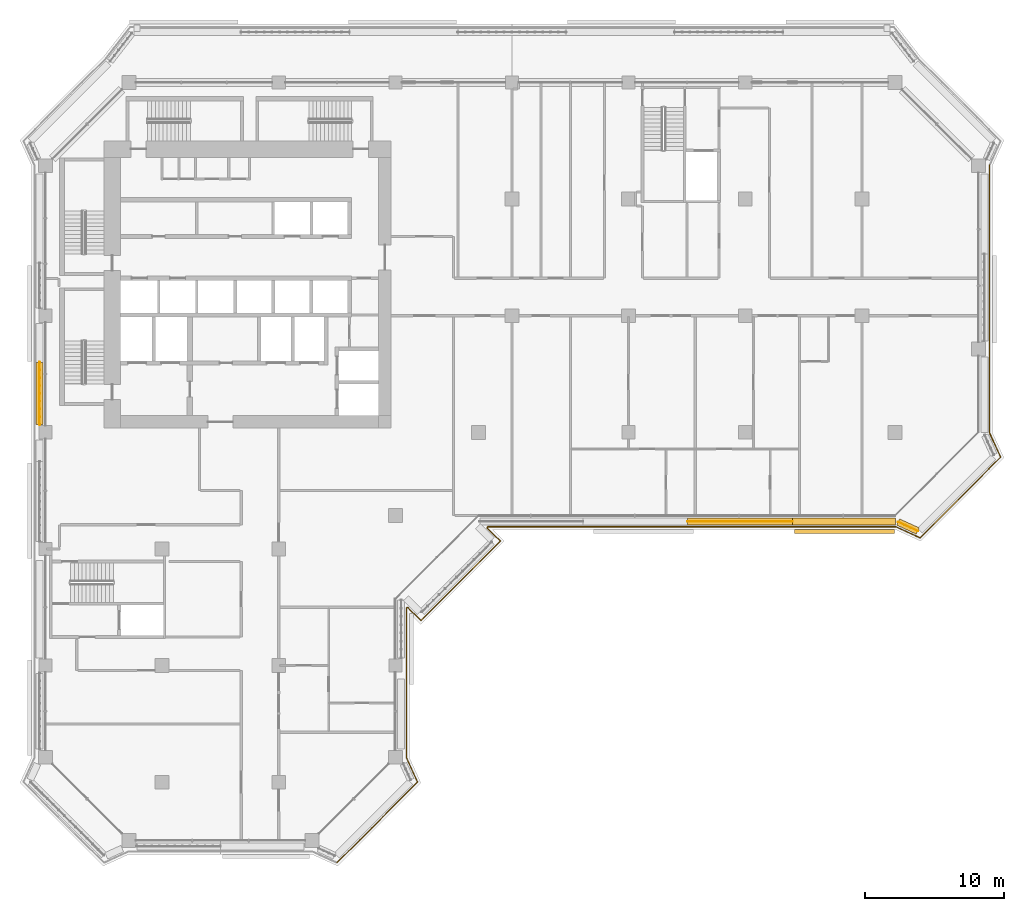
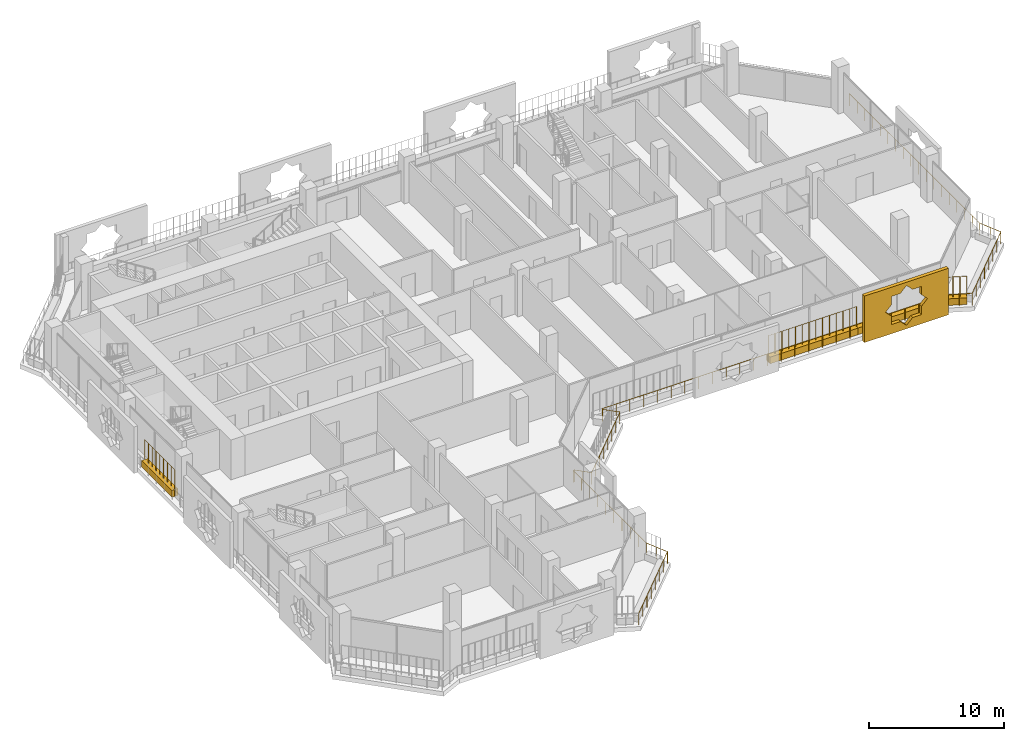
# One storey, part 19 of 22: 5 coverings, 4 railings.
"""IFC4 building model written with IfcOpenShell, lengths in metres."""

from ifc_helpers import new_model, si_unit, direction, frame, origin, origin_2d, place, context, subcontext, project, spatial, polyline, rectangle, circle, outline, extrude, material, material_profile, profile_set, type_object, element, save


model = new_model("IFC4")

# Units and contexts
model_context = context("Model", 3, precision=1e-05, world=origin(), true_north=direction((0.0, 1.0)))
body_context = subcontext(model_context, "Body", "Model", "MODEL_VIEW")
ifc_project = project(units=[si_unit("LENGTHUNIT", "METRE"), si_unit("AREAUNIT", "SQUARE_METRE"), si_unit("VOLUMEUNIT", "CUBIC_METRE"), si_unit("PLANEANGLEUNIT", "RADIAN"), si_unit("MASSUNIT", "GRAM", prefix="KILO")], contexts=[model_context])

# Site, building, storey
site_placement = place(None, origin())
site = spatial("IfcSite", under=ifc_project, at=site_placement, CompositionType="ELEMENT")
building_placement = place(site_placement, origin())
building = spatial("IfcBuilding", under=site, at=building_placement, Name="Kawkab Arch Medical Tower", CompositionType="ELEMENT")
storey_placement = place(building_placement, frame((0.0, 0.0, 183.60009765625)))
storey = spatial("IfcBuildingStorey", under=building, at=storey_placement, Name="L42", CompositionType="ELEMENT", Elevation=183.60009765625)

# Railing
ifc_material_1 = material(Name="Bronze anodised aluminium guard", Category="aluminium")
railing_type_1 = type_object("IfcRailingType", Name="Loggia and terrace guard 1100", PredefinedType="GUARDRAIL", material=ifc_material_1)
railing_1_placement = place(storey_placement, frame((68.0, -5.95703125, 0.0)))
element("IfcRailing", 1, at=railing_1_placement, inside=storey, type_object=railing_type_1, Name="Guard L42.LOG-01.1.2", PredefinedType="GUARDRAIL", context=body_context, shape_type="SweptSolid", body=[
    extrude(circle(Radius=0.02392578125, at=origin_2d()), frame((0.0, 0.0, 1.076171875), z_axis=(0.0, -1.0, 0.0), x_axis=(1.0, 0.0, 0.0)), (0.0, 0.0, 1.0), 19.285888671875),
    extrude(circle(Radius=0.02392578125, at=origin_2d()), frame((0.0, -19.285888671875, 1.076171875), z_axis=(0.414509773934, -0.910044860056, 0.0), x_axis=(0.910044860056, 0.414509773934, 0.0)), (0.0, 0.0, 1.0), 1.92529296875),
    extrude(circle(Radius=0.02392578125, at=origin_2d()), frame((0.798095703125, -21.0380859375, 1.076171875), z_axis=(-0.707106781187, -0.707106781187, 0.0), x_axis=(0.707106781187, -0.707106781187, 0.0)), (0.0, 0.0, 1.0), 8.20654296875),
    extrude(circle(Radius=0.02392578125, at=origin_2d()), frame((-5.0048828125, -26.841064453125, 1.076171875), z_axis=(-0.910044860056, 0.414509773934, 0.0), x_axis=(-0.414509773934, -0.910044860056, 0.0)), (0.0, 0.0, 1.0), 1.92529296875),
    extrude(circle(Radius=0.02392578125, at=origin_2d()), frame((-6.757080078125, -26.04296875, 1.076171875), z_axis=(-1.0, 0.0, 0.0), x_axis=(0.0, -1.0, 0.0)), (0.0, 0.0, 1.0), 29.392822265625),
    extrude(circle(Radius=0.02392578125, at=origin_2d()), frame((-36.14990234375, -26.04296875, 1.076171875), z_axis=(-0.383763674343, -0.923431341387, 0.0), x_axis=(0.923431341387, -0.383763674343, 0.0)), (0.0, 0.0, 1.0), 0.101806640625),
    extrude(circle(Radius=0.02392578125, at=origin_2d()), frame((-36.18896484375, -26.136962890625, 1.076171875), z_axis=(0.707015335112, -0.707198215437, 0.0), x_axis=(0.707198215437, 0.707015335112, 0.0)), (0.0, 0.0, 1.0), 1.3349609375),
    extrude(circle(Radius=0.02392578125, at=origin_2d()), frame((-35.2451171875, -27.0810546875, 1.076171875), z_axis=(-0.707106781187, -0.707106781187, 0.0), x_axis=(0.707106781187, -0.707106781187, 0.0)), (0.0, 0.0, 1.0), 8.084716796875),
    extrude(circle(Radius=0.02392578125, at=origin_2d()), frame((-40.9619140625, -32.7978515625, 1.076171875), z_axis=(-0.707198215437, 0.707015335112, 0.0), x_axis=(-0.707015335112, -0.707198215437, 0.0)), (0.0, 0.0, 1.0), 1.3349609375),
    extrude(circle(Radius=0.02392578125, at=origin_2d()), frame((-41.906005859375, -31.85400390625, 1.076171875), z_axis=(-0.923431341387, -0.383763674343, 0.0), x_axis=(0.383763674343, -0.923431341387, 0.0)), (0.0, 0.0, 1.0), 0.101806640625),
    extrude(circle(Radius=0.02392578125, at=origin_2d()), frame((-42.0, -31.89306640625, 1.076171875), z_axis=(0.0, -1.0, 0.0), x_axis=(1.0, 0.0, 0.0)), (0.0, 0.0, 1.0), 10.79296875),
    extrude(circle(Radius=0.02392578125, at=origin_2d()), frame((-42.0, -42.68603515625, 1.076171875), z_axis=(0.414557610759, -0.910023069687, 0.0), x_axis=(0.910023069687, 0.414557610759, 0.0)), (0.0, 0.0, 1.0), 1.92529296875),
    extrude(circle(Radius=0.02392578125, at=origin_2d()), frame((-41.201904296875, -44.43798828125, 1.076171875), z_axis=(-0.707106781187, -0.707106781187, 0.0), x_axis=(0.707106781187, -0.707106781187, 0.0)), (0.0, 0.0, 1.0), 8.20654296875),
    extrude(circle(Radius=0.02099609375, at=origin_2d()), origin(), (0.0, 0.0, 1.0), 1.052001953125),
    extrude(circle(Radius=0.02099609375, at=origin_2d()), frame((0.0, -1.134521484375, 0.0)), (0.0, 0.0, 1.0), 1.052001953125),
    extrude(circle(Radius=0.02099609375, at=origin_2d()), frame((0.0, -2.26904296875, 0.0)), (0.0, 0.0, 1.0), 1.052001953125),
    extrude(circle(Radius=0.02099609375, at=origin_2d()), frame((0.0, -3.4033203125, 0.0)), (0.0, 0.0, 1.0), 1.052001953125),
    extrude(circle(Radius=0.02099609375, at=origin_2d()), frame((0.0, -4.537841796875, 0.0)), (0.0, 0.0, 1.0), 1.052001953125),
    extrude(circle(Radius=0.02099609375, at=origin_2d()), frame((0.0, -5.67236328125, 0.0)), (0.0, 0.0, 1.0), 1.052001953125),
    extrude(circle(Radius=0.02099609375, at=origin_2d()), frame((0.0, -6.806884765625, 0.0)), (0.0, 0.0, 1.0), 1.052001953125),
    extrude(circle(Radius=0.02099609375, at=origin_2d()), frame((0.0, -7.941162109375, 0.0)), (0.0, 0.0, 1.0), 1.052001953125),
    extrude(circle(Radius=0.02099609375, at=origin_2d()), frame((0.0, -9.07568359375, 0.0)), (0.0, 0.0, 1.0), 1.052001953125),
    extrude(circle(Radius=0.02099609375, at=origin_2d()), frame((0.0, -10.210205078125, 0.0)), (0.0, 0.0, 1.0), 1.052001953125),
    extrude(circle(Radius=0.02099609375, at=origin_2d()), frame((0.0, -11.3447265625, 0.0)), (0.0, 0.0, 1.0), 1.052001953125),
    extrude(circle(Radius=0.02099609375, at=origin_2d()), frame((0.0, -12.47900390625, 0.0)), (0.0, 0.0, 1.0), 1.052001953125),
    extrude(circle(Radius=0.02099609375, at=origin_2d()), frame((0.0, -13.613525390625, 0.0)), (0.0, 0.0, 1.0), 1.052001953125),
    extrude(circle(Radius=0.02099609375, at=origin_2d()), frame((0.0, -14.748046875, 0.0)), (0.0, 0.0, 1.0), 1.052001953125),
    extrude(circle(Radius=0.02099609375, at=origin_2d()), frame((0.0, -15.882568359375, 0.0)), (0.0, 0.0, 1.0), 1.052001953125),
    extrude(circle(Radius=0.02099609375, at=origin_2d()), frame((0.0, -17.016845703125, 0.0)), (0.0, 0.0, 1.0), 1.052001953125),
    extrude(circle(Radius=0.02099609375, at=origin_2d()), frame((0.0, -18.1513671875, 0.0)), (0.0, 0.0, 1.0), 1.052001953125),
    extrude(circle(Radius=0.02099609375, at=origin_2d()), frame((0.0, -19.285888671875, 0.0)), (0.0, 0.0, 1.0), 1.052001953125),
    extrude(circle(Radius=0.02099609375, at=origin_2d()), frame((0.39892578125, -20.162109375, 0.0)), (0.0, 0.0, 1.0), 1.052001953125),
    extrude(circle(Radius=0.02099609375, at=origin_2d()), frame((0.798095703125, -21.0380859375, 0.0)), (0.0, 0.0, 1.0), 1.052001953125),
    extrude(circle(Radius=0.02099609375, at=origin_2d()), frame((-0.031005859375, -21.8671875, 0.0)), (0.0, 0.0, 1.0), 1.052001953125),
    extrude(circle(Radius=0.02099609375, at=origin_2d()), frame((-0.85986328125, -22.696044921875, 0.0)), (0.0, 0.0, 1.0), 1.052001953125),
    extrude(circle(Radius=0.02099609375, at=origin_2d()), frame((-1.68896484375, -23.525146484375, 0.0)), (0.0, 0.0, 1.0), 1.052001953125),
    extrude(circle(Radius=0.02099609375, at=origin_2d()), frame((-2.517822265625, -24.35400390625, 0.0)), (0.0, 0.0, 1.0), 1.052001953125),
    extrude(circle(Radius=0.02099609375, at=origin_2d()), frame((-3.346923828125, -25.18310546875, 0.0)), (0.0, 0.0, 1.0), 1.052001953125),
    extrude(circle(Radius=0.02099609375, at=origin_2d()), frame((-4.17578125, -26.011962890625, 0.0)), (0.0, 0.0, 1.0), 1.052001953125),
    extrude(circle(Radius=0.02099609375, at=origin_2d()), frame((-5.0048828125, -26.841064453125, 0.0)), (0.0, 0.0, 1.0), 1.052001953125),
    extrude(circle(Radius=0.02099609375, at=origin_2d()), frame((-5.880859375, -26.44189453125, 0.0)), (0.0, 0.0, 1.0), 1.052001953125),
    extrude(circle(Radius=0.02099609375, at=origin_2d()), frame((-6.757080078125, -26.04296875, 0.0)), (0.0, 0.0, 1.0), 1.052001953125),
    extrude(circle(Radius=0.02099609375, at=origin_2d()), frame((-7.932861328125, -26.04296875, 0.0)), (0.0, 0.0, 1.0), 1.052001953125),
    extrude(circle(Radius=0.02099609375, at=origin_2d()), frame((-9.1083984375, -26.04296875, 0.0)), (0.0, 0.0, 1.0), 1.052001953125),
    extrude(circle(Radius=0.02099609375, at=origin_2d()), frame((-10.2841796875, -26.04296875, 0.0)), (0.0, 0.0, 1.0), 1.052001953125),
    extrude(circle(Radius=0.02099609375, at=origin_2d()), frame((-11.4599609375, -26.04296875, 0.0)), (0.0, 0.0, 1.0), 1.052001953125),
    extrude(circle(Radius=0.02099609375, at=origin_2d()), frame((-12.6357421875, -26.04296875, 0.0)), (0.0, 0.0, 1.0), 1.052001953125),
    extrude(circle(Radius=0.02099609375, at=origin_2d()), frame((-13.811279296875, -26.04296875, 0.0)), (0.0, 0.0, 1.0), 1.052001953125),
    extrude(circle(Radius=0.02099609375, at=origin_2d()), frame((-14.987060546875, -26.04296875, 0.0)), (0.0, 0.0, 1.0), 1.052001953125),
    extrude(circle(Radius=0.02099609375, at=origin_2d()), frame((-16.162841796875, -26.04296875, 0.0)), (0.0, 0.0, 1.0), 1.052001953125),
    extrude(circle(Radius=0.02099609375, at=origin_2d()), frame((-17.33837890625, -26.04296875, 0.0)), (0.0, 0.0, 1.0), 1.052001953125),
    extrude(circle(Radius=0.02099609375, at=origin_2d()), frame((-18.51416015625, -26.04296875, 0.0)), (0.0, 0.0, 1.0), 1.052001953125),
    extrude(circle(Radius=0.02099609375, at=origin_2d()), frame((-19.68994140625, -26.04296875, 0.0)), (0.0, 0.0, 1.0), 1.052001953125),
    extrude(circle(Radius=0.02099609375, at=origin_2d()), frame((-20.86572265625, -26.04296875, 0.0)), (0.0, 0.0, 1.0), 1.052001953125),
    extrude(circle(Radius=0.02099609375, at=origin_2d()), frame((-22.041259765625, -26.04296875, 0.0)), (0.0, 0.0, 1.0), 1.052001953125),
    extrude(circle(Radius=0.02099609375, at=origin_2d()), frame((-23.217041015625, -26.04296875, 0.0)), (0.0, 0.0, 1.0), 1.052001953125),
    extrude(circle(Radius=0.02099609375, at=origin_2d()), frame((-24.392822265625, -26.04296875, 0.0)), (0.0, 0.0, 1.0), 1.052001953125),
    extrude(circle(Radius=0.02099609375, at=origin_2d()), frame((-25.568603515625, -26.04296875, 0.0)), (0.0, 0.0, 1.0), 1.052001953125),
    extrude(circle(Radius=0.02099609375, at=origin_2d()), frame((-26.744140625, -26.04296875, 0.0)), (0.0, 0.0, 1.0), 1.052001953125),
    extrude(circle(Radius=0.02099609375, at=origin_2d()), frame((-27.919921875, -26.04296875, 0.0)), (0.0, 0.0, 1.0), 1.052001953125),
    extrude(circle(Radius=0.02099609375, at=origin_2d()), frame((-29.095703125, -26.04296875, 0.0)), (0.0, 0.0, 1.0), 1.052001953125),
    extrude(circle(Radius=0.02099609375, at=origin_2d()), frame((-30.271240234375, -26.04296875, 0.0)), (0.0, 0.0, 1.0), 1.052001953125),
    extrude(circle(Radius=0.02099609375, at=origin_2d()), frame((-31.447021484375, -26.04296875, 0.0)), (0.0, 0.0, 1.0), 1.052001953125),
    extrude(circle(Radius=0.02099609375, at=origin_2d()), frame((-32.622802734375, -26.04296875, 0.0)), (0.0, 0.0, 1.0), 1.052001953125),
    extrude(circle(Radius=0.02099609375, at=origin_2d()), frame((-33.798583984375, -26.04296875, 0.0)), (0.0, 0.0, 1.0), 1.052001953125),
    extrude(circle(Radius=0.02099609375, at=origin_2d()), frame((-34.97412109375, -26.04296875, 0.0)), (0.0, 0.0, 1.0), 1.052001953125),
    extrude(circle(Radius=0.02099609375, at=origin_2d()), frame((-36.14990234375, -26.04296875, 0.0)), (0.0, 0.0, 1.0), 1.052001953125),
    extrude(circle(Radius=0.02099609375, at=origin_2d()), frame((-36.18896484375, -26.136962890625, 0.0)), (0.0, 0.0, 1.0), 1.052001953125),
    extrude(circle(Radius=0.02099609375, at=origin_2d()), frame((-35.717041015625, -26.60888671875, 0.0)), (0.0, 0.0, 1.0), 1.052001953125),
    extrude(circle(Radius=0.02099609375, at=origin_2d()), frame((-35.2451171875, -27.0810546875, 0.0)), (0.0, 0.0, 1.0), 1.052001953125),
    extrude(circle(Radius=0.02099609375, at=origin_2d()), frame((-36.061767578125, -27.897705078125, 0.0)), (0.0, 0.0, 1.0), 1.052001953125),
    extrude(circle(Radius=0.02099609375, at=origin_2d()), frame((-36.87841796875, -28.71435546875, 0.0)), (0.0, 0.0, 1.0), 1.052001953125),
    extrude(circle(Radius=0.02099609375, at=origin_2d()), frame((-37.695068359375, -29.531005859375, 0.0)), (0.0, 0.0, 1.0), 1.052001953125),
    extrude(circle(Radius=0.02099609375, at=origin_2d()), frame((-38.511962890625, -30.347900390625, 0.0)), (0.0, 0.0, 1.0), 1.052001953125),
    extrude(circle(Radius=0.02099609375, at=origin_2d()), frame((-39.32861328125, -31.16455078125, 0.0)), (0.0, 0.0, 1.0), 1.052001953125),
    extrude(circle(Radius=0.02099609375, at=origin_2d()), frame((-40.145263671875, -31.981201171875, 0.0)), (0.0, 0.0, 1.0), 1.052001953125),
    extrude(circle(Radius=0.02099609375, at=origin_2d()), frame((-40.9619140625, -32.7978515625, 0.0)), (0.0, 0.0, 1.0), 1.052001953125),
    extrude(circle(Radius=0.02099609375, at=origin_2d()), frame((-41.43408203125, -32.325927734375, 0.0)), (0.0, 0.0, 1.0), 1.052001953125),
    extrude(circle(Radius=0.02099609375, at=origin_2d()), frame((-41.906005859375, -31.85400390625, 0.0)), (0.0, 0.0, 1.0), 1.052001953125),
    extrude(circle(Radius=0.02099609375, at=origin_2d()), frame((-42.0, -31.89306640625, 0.0)), (0.0, 0.0, 1.0), 1.052001953125),
    extrude(circle(Radius=0.02099609375, at=origin_2d()), frame((-42.0, -33.09228515625, 0.0)), (0.0, 0.0, 1.0), 1.052001953125),
    extrude(circle(Radius=0.02099609375, at=origin_2d()), frame((-42.0, -34.29150390625, 0.0)), (0.0, 0.0, 1.0), 1.052001953125),
    extrude(circle(Radius=0.02099609375, at=origin_2d()), frame((-42.0, -35.49072265625, 0.0)), (0.0, 0.0, 1.0), 1.052001953125),
    extrude(circle(Radius=0.02099609375, at=origin_2d()), frame((-42.0, -36.68994140625, 0.0)), (0.0, 0.0, 1.0), 1.052001953125),
    extrude(circle(Radius=0.02099609375, at=origin_2d()), frame((-42.0, -37.88916015625, 0.0)), (0.0, 0.0, 1.0), 1.052001953125),
    extrude(circle(Radius=0.02099609375, at=origin_2d()), frame((-42.0, -39.08837890625, 0.0)), (0.0, 0.0, 1.0), 1.052001953125),
    extrude(circle(Radius=0.02099609375, at=origin_2d()), frame((-42.0, -40.28759765625, 0.0)), (0.0, 0.0, 1.0), 1.052001953125),
    extrude(circle(Radius=0.02099609375, at=origin_2d()), frame((-42.0, -41.48681640625, 0.0)), (0.0, 0.0, 1.0), 1.052001953125),
    extrude(circle(Radius=0.02099609375, at=origin_2d()), frame((-42.0, -42.68603515625, 0.0)), (0.0, 0.0, 1.0), 1.052001953125),
    extrude(circle(Radius=0.02099609375, at=origin_2d()), frame((-41.60107421875, -43.56201171875, 0.0)), (0.0, 0.0, 1.0), 1.052001953125),
    extrude(circle(Radius=0.02099609375, at=origin_2d()), frame((-41.201904296875, -44.43798828125, 0.0)), (0.0, 0.0, 1.0), 1.052001953125),
    extrude(circle(Radius=0.02099609375, at=origin_2d()), frame((-42.031005859375, -45.26708984375, 0.0)), (0.0, 0.0, 1.0), 1.052001953125),
    extrude(circle(Radius=0.02099609375, at=origin_2d()), frame((-42.85986328125, -46.095947265625, 0.0)), (0.0, 0.0, 1.0), 1.052001953125),
    extrude(circle(Radius=0.02099609375, at=origin_2d()), frame((-43.68896484375, -46.925048828125, 0.0)), (0.0, 0.0, 1.0), 1.052001953125),
    extrude(circle(Radius=0.02099609375, at=origin_2d()), frame((-44.517822265625, -47.75390625, 0.0)), (0.0, 0.0, 1.0), 1.052001953125),
    extrude(circle(Radius=0.02099609375, at=origin_2d()), frame((-45.346923828125, -48.5830078125, 0.0)), (0.0, 0.0, 1.0), 1.052001953125),
    extrude(circle(Radius=0.02099609375, at=origin_2d()), frame((-46.17578125, -49.411865234375, 0.0)), (0.0, 0.0, 1.0), 1.052001953125),
    extrude(circle(Radius=0.02099609375, at=origin_2d()), frame((-47.0048828125, -50.240966796875, 0.0)), (0.0, 0.0, 1.0), 1.052001953125),
])

# Coverings
ifc_material_2 = material(Name="Bronze anodised aluminium mashrabiya panel, eight-point star pattern", Category="aluminium")
ifc_material_profile_1 = material_profile(ifc_material_2, outline(polyline([(-3.60009765625, -2.10009765625), (3.60009765625, -2.10009765625), (3.60009765625, 2.10009765625), (-3.60009765625, 2.10009765625), (-3.60009765625, -2.10009765625)]), holes=[polyline([(1.800048828125, 0.0), (1.272705078125, 0.527099609375), (1.272705078125, 1.272705078125), (0.527099609375, 1.272705078125), (0.0, 1.800048828125), (-0.527099609375, 1.272705078125), (-1.272705078125, 1.272705078125), (-1.272705078125, 0.527099609375), (-1.800048828125, 0.0), (-1.272705078125, -0.527099609375), (-1.272705078125, -1.272705078125), (-0.527099609375, -1.272705078125), (0.0, -1.800048828125), (0.527099609375, -1.272705078125), (1.272705078125, -1.272705078125), (1.272705078125, -0.527099609375), (1.800048828125, 0.0)])]), Name="Mashrabiya panel 7200x4200")
ifc_profile_set_1 = profile_set([ifc_material_profile_1], Name="Bronze anodised aluminium mashrabiya panel, eight-point star pattern")
covering_type_1 = type_object("IfcCoveringType", Name="Mashrabiya panel 7200 x 4200", PredefinedType="USERDEFINED", material=ifc_profile_set_1)
covering_1_placement = place(storey_placement, frame((57.5546875, -32.199951171875, 1.699951171875), z_axis=(0.0, -1.0, 0.0), x_axis=(1.0, 0.0, 0.0)))
element("IfcCovering", 2, at=covering_1_placement, inside=storey, type_object=covering_type_1, Name="Mashrabiya panel L42.LOG-01-01.10", ObjectType="SCREEN", PredefinedType="USERDEFINED", context=body_context, shape_type="SweptSolid", body=[
    extrude(outline(polyline([(-3.60009765625, -2.10009765625), (3.60009765625, -2.10009765625), (3.60009765625, 2.10009765625), (-3.60009765625, 2.10009765625), (-3.60009765625, -2.10009765625)]), holes=[polyline([(1.800048828125, 0.0), (1.272705078125, 0.527099609375), (1.272705078125, 1.272705078125), (0.527099609375, 1.272705078125), (0.0, 1.800048828125), (-0.527099609375, 1.272705078125), (-1.272705078125, 1.272705078125), (-1.272705078125, 0.527099609375), (-1.800048828125, 0.0), (-1.272705078125, -0.527099609375), (-1.272705078125, -1.272705078125), (-0.527099609375, -1.272705078125), (0.0, -1.800048828125), (0.527099609375, -1.272705078125), (1.272705078125, -1.272705078125), (1.272705078125, -0.527099609375), (1.800048828125, 0.0)])]), origin(), (0.0, 0.0, 1.0), 0.300048828125),
])
ifc_material_3 = material(Name="Planting soil in a precast trough", Category="concrete")
ifc_material_profile_2 = material_profile(ifc_material_3, rectangle(XDim=0.5, YDim=0.60009765625, at=origin_2d()), Name="Trough 500x600")
ifc_profile_set_2 = profile_set([ifc_material_profile_2], Name="Planting soil in a precast trough")
covering_type_2 = type_object("IfcCoveringType", Name="Planter trough 500 x 600", PredefinedType="USERDEFINED", material=ifc_profile_set_2)
covering_2_placement = place(storey_placement, frame((-0.419921875, -24.64501953125, 0.2998046875), z_axis=(0.0, 1.0, 0.0), x_axis=(-1.0, 0.0, 0.0)))
element("IfcCovering", 3, at=covering_2_placement, inside=storey, type_object=covering_type_2, Name="Planter L42.LOG-01-01.11", ObjectType="PLANTER", PredefinedType="USERDEFINED", context=body_context, shape_type="SweptSolid", body=[
    extrude(rectangle(XDim=0.5, YDim=0.60009765625, at=origin_2d()), origin(), (0.0, 0.0, 1.0), 4.487060546875),
])
covering_3_placement = place(storey_placement, frame((62.821044921875, -32.302001953125, 0.2998046875), z_axis=(-0.909655525109, 0.415363486165, 0.0), x_axis=(-0.415363486165, -0.909655525109, 0.0)))
element("IfcCovering", 4, at=covering_3_placement, inside=storey, type_object=covering_type_2, Name="Planter L42.LOG-01-01.33", ObjectType="PLANTER", PredefinedType="USERDEFINED", context=body_context, shape_type="SweptSolid", body=[
    extrude(rectangle(XDim=0.5, YDim=0.60009765625, at=origin_2d()), origin(), (0.0, 0.0, 1.0), 1.54345703125),
])
covering_4_placement = place(storey_placement, frame((61.22607421875, -31.6201171875, 0.2998046875), z_axis=(-1.0, 0.0, 0.0), x_axis=(0.0, -1.0, 0.0)))
element("IfcCovering", 5, at=covering_4_placement, inside=storey, type_object=covering_type_2, Name="Planter L42.LOG-01-01.34", ObjectType="PLANTER", PredefinedType="USERDEFINED", context=body_context, shape_type="SweptSolid", body=[
    extrude(rectangle(XDim=0.5, YDim=0.60009765625, at=origin_2d()), origin(), (0.0, 0.0, 1.0), 7.43505859375),
])
covering_5_placement = place(storey_placement, frame((53.791015625, -31.6201171875, 0.2998046875), z_axis=(-1.0, 0.0, 0.0), x_axis=(0.0, -1.0, 0.0)))
element("IfcCovering", 6, at=covering_5_placement, inside=storey, type_object=covering_type_2, Name="Planter L42.LOG-01-01.35", ObjectType="PLANTER", PredefinedType="USERDEFINED", context=body_context, shape_type="SweptSolid", body=[
    extrude(rectangle(XDim=0.5, YDim=0.60009765625, at=origin_2d()), origin(), (0.0, 0.0, 1.0), 7.5361328125),
])

# Railings
ifc_material_4 = material(Name="Bronze anodised aluminium trellis for climbing plants", Category="aluminium")
railing_type_2 = type_object("IfcRailingType", Name="Planting trellis 2400", PredefinedType="USERDEFINED", material=ifc_material_4)
railing_2_placement = place(storey_placement, frame((-0.419921875, -24.64501953125, 0.0)))
element("IfcRailing", 7, at=railing_2_placement, inside=storey, type_object=railing_type_2, Name="Planting trellis L42.LOG-01-01.11", ObjectType="TRELLIS", PredefinedType="USERDEFINED", context=body_context, shape_type="SweptSolid", body=[
    extrude(circle(Radius=0.01513671875, at=origin_2d()), frame((0.0, 0.0, 2.384765625), z_axis=(0.0, 1.0, 0.0), x_axis=(-1.0, 0.0, 0.0)), (0.0, 0.0, 1.0), 4.487060546875),
    extrude(circle(Radius=0.030029296875, at=origin_2d()), origin(), (0.0, 0.0, 1.0), 2.369873046875),
    extrude(circle(Radius=0.030029296875, at=origin_2d()), frame((0.0, 0.560791015625, 0.0)), (0.0, 0.0, 1.0), 2.369873046875),
    extrude(circle(Radius=0.030029296875, at=origin_2d()), frame((0.0, 1.121826171875, 0.0)), (0.0, 0.0, 1.0), 2.369873046875),
    extrude(circle(Radius=0.030029296875, at=origin_2d()), frame((0.0, 1.6826171875, 0.0)), (0.0, 0.0, 1.0), 2.369873046875),
    extrude(circle(Radius=0.030029296875, at=origin_2d()), frame((0.0, 2.24365234375, 0.0)), (0.0, 0.0, 1.0), 2.369873046875),
    extrude(circle(Radius=0.030029296875, at=origin_2d()), frame((0.0, 2.804443359375, 0.0)), (0.0, 0.0, 1.0), 2.369873046875),
    extrude(circle(Radius=0.030029296875, at=origin_2d()), frame((0.0, 3.365234375, 0.0)), (0.0, 0.0, 1.0), 2.369873046875),
    extrude(circle(Radius=0.030029296875, at=origin_2d()), frame((0.0, 3.92626953125, 0.0)), (0.0, 0.0, 1.0), 2.369873046875),
    extrude(circle(Radius=0.030029296875, at=origin_2d()), frame((0.0, 4.487060546875, 0.0)), (0.0, 0.0, 1.0), 2.369873046875),
])
railing_3_placement = place(storey_placement, frame((62.821044921875, -32.302001953125, 0.0)))
element("IfcRailing", 8, at=railing_3_placement, inside=storey, type_object=railing_type_2, Name="Planting trellis L42.LOG-01-01.33", ObjectType="TRELLIS", PredefinedType="USERDEFINED", context=body_context, shape_type="SweptSolid", body=[
    extrude(circle(Radius=0.01513671875, at=origin_2d()), frame((0.0, 0.0, 2.384765625), z_axis=(-0.909655525109, 0.415363486165, 0.0), x_axis=(-0.415363486165, -0.909655525109, 0.0)), (0.0, 0.0, 1.0), 1.54345703125),
    extrude(circle(Radius=0.030029296875, at=origin_2d()), origin(), (0.0, 0.0, 1.0), 2.369873046875),
    extrude(circle(Radius=0.030029296875, at=origin_2d()), frame((-0.468017578125, 0.213623046875, 0.0)), (0.0, 0.0, 1.0), 2.369873046875),
    extrude(circle(Radius=0.030029296875, at=origin_2d()), frame((-0.93603515625, 0.427490234375, 0.0)), (0.0, 0.0, 1.0), 2.369873046875),
    extrude(circle(Radius=0.030029296875, at=origin_2d()), frame((-1.404052734375, 0.64111328125, 0.0)), (0.0, 0.0, 1.0), 2.369873046875),
])
railing_4_placement = place(storey_placement, frame((53.791015625, -31.6201171875, 0.0)))
element("IfcRailing", 9, at=railing_4_placement, inside=storey, type_object=railing_type_2, Name="Planting trellis L42.LOG-01-01.35", ObjectType="TRELLIS", PredefinedType="USERDEFINED", context=body_context, shape_type="SweptSolid", body=[
    extrude(circle(Radius=0.01513671875, at=origin_2d()), frame((0.0, 0.0, 2.384765625), z_axis=(-1.0, 0.0, 0.0), x_axis=(0.0, -1.0, 0.0)), (0.0, 0.0, 1.0), 7.5361328125),
    extrude(circle(Radius=0.030029296875, at=origin_2d()), origin(), (0.0, 0.0, 1.0), 2.369873046875),
    extrude(circle(Radius=0.030029296875, at=origin_2d()), frame((-0.57958984375, 0.0, 0.0)), (0.0, 0.0, 1.0), 2.369873046875),
    extrude(circle(Radius=0.030029296875, at=origin_2d()), frame((-1.159423828125, 0.0, 0.0)), (0.0, 0.0, 1.0), 2.369873046875),
    extrude(circle(Radius=0.030029296875, at=origin_2d()), frame((-1.739013671875, 0.0, 0.0)), (0.0, 0.0, 1.0), 2.369873046875),
    extrude(circle(Radius=0.030029296875, at=origin_2d()), frame((-2.31884765625, 0.0, 0.0)), (0.0, 0.0, 1.0), 2.369873046875),
    extrude(circle(Radius=0.030029296875, at=origin_2d()), frame((-2.8984375, 0.0, 0.0)), (0.0, 0.0, 1.0), 2.369873046875),
    extrude(circle(Radius=0.030029296875, at=origin_2d()), frame((-3.478271484375, 0.0, 0.0)), (0.0, 0.0, 1.0), 2.369873046875),
    extrude(circle(Radius=0.030029296875, at=origin_2d()), frame((-4.057861328125, 0.0, 0.0)), (0.0, 0.0, 1.0), 2.369873046875),
    extrude(circle(Radius=0.030029296875, at=origin_2d()), frame((-4.6376953125, 0.0, 0.0)), (0.0, 0.0, 1.0), 2.369873046875),
    extrude(circle(Radius=0.030029296875, at=origin_2d()), frame((-5.21728515625, 0.0, 0.0)), (0.0, 0.0, 1.0), 2.369873046875),
    extrude(circle(Radius=0.030029296875, at=origin_2d()), frame((-5.797119140625, 0.0, 0.0)), (0.0, 0.0, 1.0), 2.369873046875),
    extrude(circle(Radius=0.030029296875, at=origin_2d()), frame((-6.376708984375, 0.0, 0.0)), (0.0, 0.0, 1.0), 2.369873046875),
    extrude(circle(Radius=0.030029296875, at=origin_2d()), frame((-6.95654296875, 0.0, 0.0)), (0.0, 0.0, 1.0), 2.369873046875),
    extrude(circle(Radius=0.030029296875, at=origin_2d()), frame((-7.5361328125, 0.0, 0.0)), (0.0, 0.0, 1.0), 2.369873046875),
])

save(model, "model.ifc")
